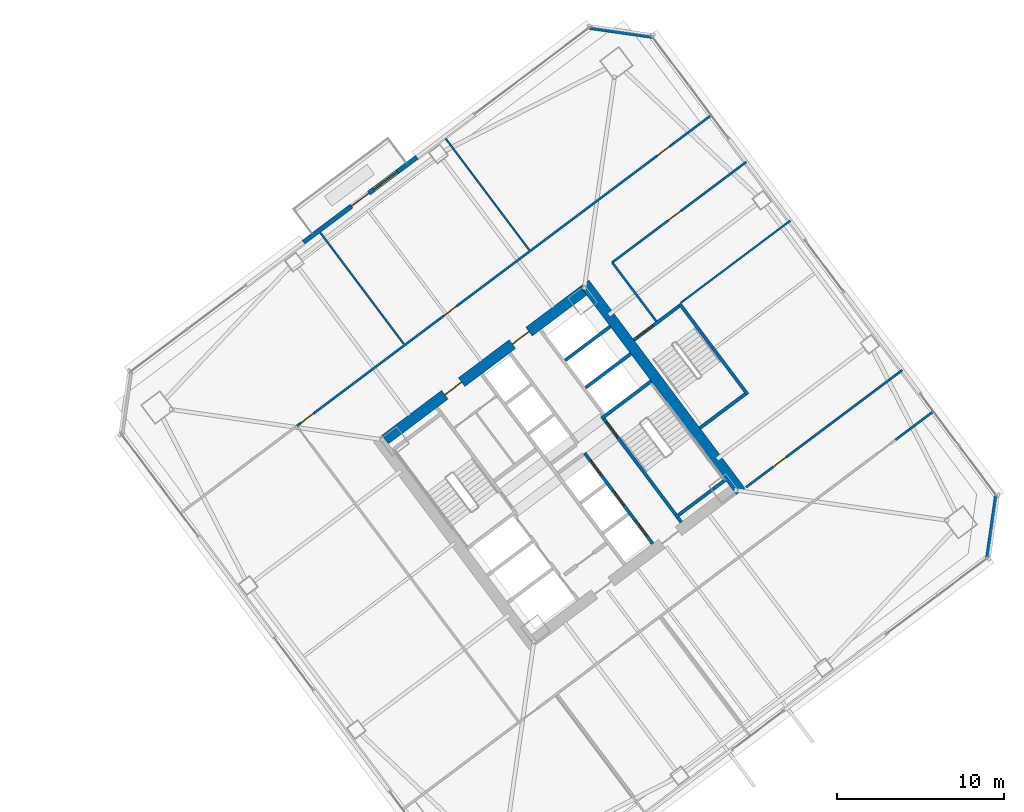
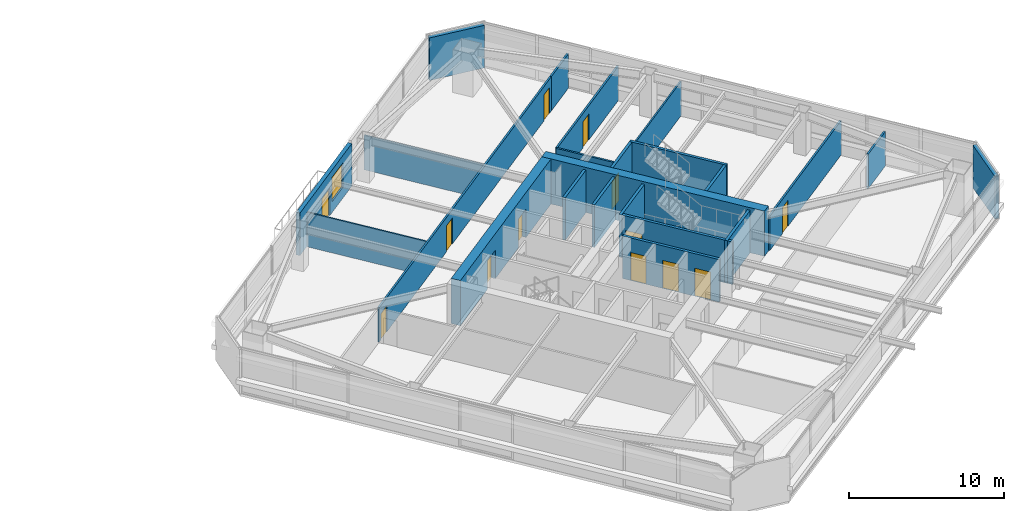
# One storey, part 36 of 44: 23 walls, 13 doors, 1 window, 14 openings.
"""IFC4 building model written with IfcOpenShell, lengths in metres."""

from ifc_helpers import new_model, si_unit, direction, frame, frame_2d, origin, place, context, subcontext, project, spatial, rectangle, extrude, material, layer, layer_set, type_object, element, fill, save


model = new_model("IFC4")

# Units and contexts
model_context = context("Model", 3, precision=1e-05, world=origin(), true_north=direction((0.0, 1.0)))
body_context = subcontext(model_context, "Body", "Model", "MODEL_VIEW")
ifc_project = project(units=[si_unit("LENGTHUNIT", "METRE"), si_unit("AREAUNIT", "SQUARE_METRE"), si_unit("VOLUMEUNIT", "CUBIC_METRE"), si_unit("PLANEANGLEUNIT", "RADIAN"), si_unit("MASSUNIT", "GRAM", prefix="KILO")], contexts=[model_context])

# Site, building, storey
site_placement = place(None, origin())
site = spatial("IfcSite", under=ifc_project, at=site_placement, CompositionType="ELEMENT")
building_placement = place(site_placement, origin())
building = spatial("IfcBuilding", under=site, at=building_placement, Name="Tashvorn Skyway Center", CompositionType="ELEMENT")
storey_placement = place(building_placement, frame((0.0, 0.0, 95.60009765625)))
storey = spatial("IfcBuildingStorey", under=building, at=storey_placement, Name="L25", CompositionType="ELEMENT", Elevation=95.60009765625)

# Wall
ifc_material_1 = material(Name="Concrete C60/75", Category="concrete")
ifc_layer_1 = layer(ifc_material_1, 0.64990234375)
ifc_layer_set_1 = layer_set([ifc_layer_1], Name="Concrete C60/75")
wall_type_1 = type_object("IfcWallType", Name="WALL-CORE-650", PredefinedType="SHEAR", material=ifc_layer_set_1)
wall_1_placement = place(storey_placement, frame((115.52392578125, 42.89306640625, 0.0), z_axis=(0.0, 0.0, 1.0), x_axis=(0.600005007985, -0.799996243986, 0.0)))
element("IfcWall", 1, at=wall_1_placement, inside=storey, type_object=wall_type_1, Name="Tower 2 L25 East Core Shear Wall", PredefinedType="SHEAR", context=body_context, shape_type="SweptSolid", body=[
    extrude(rectangle(XDim=15.60009765625, YDim=0.64990234375, at=frame_2d((7.800048828125, 0.0))), origin(), (0.0, 0.0, 1.0), 3.5498046875),
])

# Wall, openings, doors
wall_2_placement = place(storey_placement, frame((103.571044921875, 33.52197265625, 0.0), z_axis=(0.0, 0.0, 1.0), x_axis=(0.799998028465, 0.600002628705, 0.0)))
wall_2 = element("IfcWall", 2, at=wall_2_placement, inside=storey, type_object=wall_type_1, Name="Tower 2 L25 North Core Shear Wall", PredefinedType="SHEAR", context=body_context, shape_type="SweptSolid", body=[
    extrude(rectangle(XDim=14.85986328125, YDim=0.64990234375, at=frame_2d((7.429931640625, 0.0))), origin(), (0.0, 0.0, 1.0), 3.5498046875),
])
opening_1_placement = place(wall_2_placement, frame((4.47998046875, 0.0, 0.0)))
opening_1 = element("IfcOpeningElement", 3, at=opening_1_placement, cuts=wall_2, Name="Opening D-FFL-1250", PredefinedType="OPENING", context=body_context, shape_type="SweptSolid", body=[
    extrude(rectangle(XDim=1.25, YDim=2.25, at=frame_2d((0.625, 1.125))), frame((0.0, 0.3349609375, 0.0), z_axis=(0.0, -1.0, 0.0), x_axis=(1.0, 0.0, 0.0)), (0.0, 0.0, 1.0), 0.669921875),
])
opening_2_placement = place(wall_2_placement, frame((9.530029296875, 0.0, 0.0)))
opening_2 = element("IfcOpeningElement", 4, at=opening_2_placement, cuts=wall_2, Name="Opening D-FFL-1250", PredefinedType="OPENING", context=body_context, shape_type="SweptSolid", body=[
    extrude(rectangle(XDim=1.25, YDim=2.25, at=frame_2d((0.625, 1.125))), frame((0.0, 0.3349609375, 0.0), z_axis=(0.0, -1.0, 0.0), x_axis=(1.0, 0.0, 0.0)), (0.0, 0.0, 1.0), 0.669921875),
])
ifc_material_2 = material(Name="Hollow galvanized steel fire door assembly", Category="steel")
door_type_1 = type_object("IfcDoorType", Name="DOOR-FFL-1250", OperationType="NOTDEFINED", PredefinedType="DOOR", material=ifc_material_2)
door_1_placement = place(opening_1_placement, origin())
door_1 = element("IfcDoor", 5, at=door_1_placement, inside=storey, type_object=door_type_1, Name="Tower 2 L25 Core North Service Lobby Door", OperationType="SINGLE_SWING_LEFT", OverallHeight=2.25, OverallWidth=1.25, PredefinedType="DOOR", context=body_context, shape_type="SweptSolid", body=[
    extrude(rectangle(XDim=1.25, YDim=2.25, at=frame_2d((0.625, 1.125))), frame((0.0, 0.02490234375, 0.0), z_axis=(0.0, -1.0, 0.0), x_axis=(1.0, 0.0, 0.0)), (0.0, 0.0, 1.0), 0.050048828125),
])
fill(opening_1, door_1)
door_2_placement = place(opening_2_placement, origin())
door_2 = element("IfcDoor", 6, at=door_2_placement, inside=storey, type_object=door_type_1, Name="Tower 2 L25 Core North Lift Lobby Door", OperationType="SINGLE_SWING_RIGHT", OverallHeight=2.25, OverallWidth=1.25, PredefinedType="DOOR", context=body_context, shape_type="SweptSolid", body=[
    extrude(rectangle(XDim=1.25, YDim=2.25, at=frame_2d((0.625, 1.125))), frame((0.0, 0.02490234375, 0.0), z_axis=(0.0, -1.0, 0.0), x_axis=(1.0, 0.0, 0.0)), (0.0, 0.0, 1.0), 0.050048828125),
])
fill(opening_2, door_2)

# Wall, openings, door, window
ifc_material_3 = material(Name="Precast concrete C40/50", Category="concrete")
ifc_layer_2 = layer(ifc_material_3, 0.280029296875)
ifc_layer_set_2 = layer_set([ifc_layer_2], Name="Precast concrete C40/50")
wall_type_2 = type_object("IfcWallType", Name="WALL-EXT-280", PredefinedType="SOLIDWALL", material=ifc_layer_set_2)
wall_3_placement = place(storey_placement, frame((98.672119140625, 45.35400390625, 0.0), z_axis=(0.0, 0.0, 1.0), x_axis=(0.799986212866, 0.600018382406, 0.0)))
wall_3 = element("IfcWall", 7, at=wall_3_placement, inside=storey, type_object=wall_type_2, Name="Tower 2 L25 North Terrace Portal Wall", PredefinedType="SOLIDWALL", context=body_context, shape_type="SweptSolid", body=[
    extrude(rectangle(XDim=8.5, YDim=0.280029296875, at=frame_2d((4.25, 0.0))), origin(), (0.0, 0.0, 1.0), 3.349853515625),
])
opening_3_placement = place(wall_3_placement, frame((3.60009765625, 0.0, 0.0)))
opening_3 = element("IfcOpeningElement", 8, at=opening_3_placement, cuts=wall_3, Name="Opening D-TER-1300", PredefinedType="OPENING", context=body_context, shape_type="SweptSolid", body=[
    extrude(rectangle(XDim=1.300048828125, YDim=2.14990234375, at=frame_2d((0.64990234375, 1.074951171875))), frame((0.0, 0.14990234375, 0.0), z_axis=(0.0, -1.0, 0.0), x_axis=(1.0, 0.0, 0.0)), (0.0, 0.0, 1.0), 0.300048828125),
])
opening_4_placement = place(wall_3_placement, frame((5.239990234375, 0.0, 0.85009765625)))
opening_4 = element("IfcOpeningElement", 9, at=opening_4_placement, cuts=wall_3, Name="Opening WIN-1800", PredefinedType="OPENING", context=body_context, shape_type="SweptSolid", body=[
    extrude(rectangle(XDim=1.800048828125, YDim=1.919921875, at=frame_2d((0.89990234375, 0.9599609375))), frame((0.0, 0.14990234375, 0.0), z_axis=(0.0, -1.0, 0.0), x_axis=(1.0, 0.0, 0.0)), (0.0, 0.0, 1.0), 0.300048828125),
])
ifc_material_4 = material(Name="Thermally broken bronze-anodized aluminium 6063-T6", Category="aluminium")
door_type_2 = type_object("IfcDoorType", Name="DOOR-TERR-1300", OperationType="NOTDEFINED", PredefinedType="DOOR", material=ifc_material_4)
door_3_placement = place(opening_3_placement, origin())
door_3 = element("IfcDoor", 10, at=door_3_placement, inside=storey, type_object=door_type_2, Name="Tower 2 L25 Terrace Access Door", OperationType="SINGLE_SWING_RIGHT", OverallHeight=2.14990234375, OverallWidth=1.300048828125, PredefinedType="DOOR", context=body_context, shape_type="SweptSolid", body=[
    extrude(rectangle(XDim=1.300048828125, YDim=2.14990234375, at=frame_2d((0.64990234375, 1.074951171875))), frame((0.0, 0.02490234375, 0.0), z_axis=(0.0, -1.0, 0.0), x_axis=(1.0, 0.0, 0.0)), (0.0, 0.0, 1.0), 0.050048828125),
])
fill(opening_3, door_3)
ifc_material_5 = material(Name="Low-E solar-control double insulating safety glass", Category="glass")
window_type = type_object("IfcWindowType", Name="WIN-TERR-1800", PartitioningType="SINGLE_PANEL", PredefinedType="WINDOW", material=ifc_material_5)
window_placement = place(opening_4_placement, origin())
window = element("IfcWindow", 11, at=window_placement, inside=storey, type_object=window_type, Name="Tower 2 L25 Terrace Window", OverallHeight=1.919921875, OverallWidth=1.800048828125, PartitioningType="SINGLE_PANEL", PredefinedType="WINDOW", context=body_context, shape_type="SweptSolid", body=[
    extrude(rectangle(XDim=1.800048828125, YDim=1.919921875, at=frame_2d((0.89990234375, 0.9599609375))), frame((0.0, 0.030029296875, 0.0), z_axis=(0.0, -1.0, 0.0), x_axis=(1.0, 0.0, 0.0)), (0.0, 0.0, 1.0), 0.06005859375),
])
fill(opening_4, window)

# Walls
for number, where, z_axis, x_axis, name in (
    (12, (115.820068359375, 58.239990234375, 0.0), (0.0, 0.0, 1.0), (0.989948214866, -0.141430307517, 0.0), "Tower 2 L25 NE Precast Chamfer Wall"),
    (13, (140.239990234375, 30.179931640625, 0.0), (0.0, 0.0, 1.0), (-0.141430307517, -0.989948214866, 0.0), "Tower 2 L25 SE Precast Chamfer Wall"),
):
    element("IfcWall", number, at=place(storey_placement, frame(where, z_axis=z_axis, x_axis=x_axis)), inside=storey, type_object=wall_type_2, Name=name, PredefinedType="SOLIDWALL", context=body_context, shape_type="SweptSolid", body=[
        extrude(rectangle(XDim=3.818359375, YDim=0.280029296875, at=frame_2d((1.9091796875, 0.0))), origin(), (0.0, 0.0, 1.0), 3.349853515625),
    ])
ifc_material_6 = material(Name="Gypsum board on cold-formed steel stud framing", Category="steel")
ifc_layer_3 = layer(ifc_material_6, 0.110107421875)
ifc_layer_set_3 = layer_set([ifc_layer_3], Name="Gypsum board on cold-formed steel stud framing")
wall_type_3 = type_object("IfcWallType", Name="WALL-PART-110", PredefinedType="PARTITIONING", material=ifc_layer_set_3)
wall_4_placement = place(storey_placement, frame((104.69189453125, 39.243896484375, 0.0), z_axis=(0.0, 0.0, 1.0), x_axis=(-0.599990643836, 0.800007017038, 0.0)))
element("IfcWall", 14, at=wall_4_placement, inside=storey, type_object=wall_type_3, Name="Tower 2 L25 North Suite Partition 1", PredefinedType="PARTITIONING", context=body_context, shape_type="SweptSolid", body=[
    extrude(rectangle(XDim=8.35009765625, YDim=0.110107421875, at=frame_2d((4.175048828125, 0.0))), origin(), (0.0, 0.0, 1.0), 2.702880859375),
])
wall_5_placement = place(storey_placement, frame((112.2119140625, 44.884033203125, 0.0), z_axis=(0.0, 0.0, 1.0), x_axis=(-0.600004678161, 0.799996491358, 0.0)))
element("IfcWall", 15, at=wall_5_placement, inside=storey, type_object=wall_type_3, Name="Tower 2 L25 North Suite Partition 2", PredefinedType="PARTITIONING", context=body_context, shape_type="SweptSolid", body=[
    extrude(rectangle(XDim=8.349853515625, YDim=0.110107421875, at=frame_2d((4.1748046875, 0.0))), origin(), (0.0, 0.0, 1.0), 2.702880859375),
])
wall_6_placement = place(storey_placement, frame((127.864013671875, 46.64794921875, 0.0), z_axis=(0.0, 0.0, 1.0), x_axis=(-0.800007145523, -0.599990472518, 0.0)))
element("IfcWall", 16, at=wall_6_placement, inside=storey, type_object=wall_type_3, Name="Tower 2 L25 East Suite Partition 1", PredefinedType="PARTITIONING", context=body_context, shape_type="SweptSolid", body=[
    extrude(rectangle(XDim=8.199951171875, YDim=0.110107421875, at=frame_2d((4.10009765625, 0.0))), origin(), (0.0, 0.0, 1.0), 2.702880859375),
])
ifc_layer_4 = layer(ifc_material_6, 0.135009765625)
ifc_layer_set_4 = layer_set([ifc_layer_4], Name="Gypsum board on cold-formed steel stud framing")
wall_type_4 = type_object("IfcWallType", Name="WALL-PART-135", PredefinedType="PARTITIONING", material=ifc_layer_set_4)
wall_7_placement = place(storey_placement, frame((119.823974609375, 40.617919921875, 0.0), z_axis=(0.0, 0.0, 1.0), x_axis=(-0.599982243973, 0.800013316712, 0.0)))
element("IfcWall", 17, at=wall_7_placement, inside=storey, type_object=wall_type_4, Name="Tower 2 L25 Stair 3 Access Corridor Wall", PredefinedType="PARTITIONING", context=body_context, shape_type="SweptSolid", body=[
    extrude(rectangle(XDim=4.39990234375, YDim=0.135009765625, at=frame_2d((2.199951171875, 0.0))), origin(), (0.0, 0.0, 1.0), 2.702880859375),
])

# Wall, openings, doors
wall_8_placement = place(storey_placement, frame((98.27587890625, 34.33203125, 0.0), z_axis=(0.0, 0.0, 1.0), x_axis=(0.800003113347, 0.599995848849, 0.0)))
wall_8 = element("IfcWall", 18, at=wall_8_placement, inside=storey, type_object=wall_type_4, Name="Tower 2 L25 North Suite Wall", PredefinedType="PARTITIONING", context=body_context, shape_type="SweptSolid", body=[
    extrude(rectangle(XDim=28.230224609375, YDim=0.135009765625, at=frame_2d((14.115234375, 0.0))), origin(), (0.0, 0.0, 1.0), 2.702880859375),
])
opening_5_placement = place(wall_8_placement, frame((0.300048828125, 0.0, 0.0)))
opening_5 = element("IfcOpeningElement", 19, at=opening_5_placement, cuts=wall_8, Name="Opening D-INT-950", PredefinedType="OPENING", context=body_context, shape_type="SweptSolid", body=[
    extrude(rectangle(XDim=0.949951171875, YDim=2.050048828125, at=frame_2d((0.47509765625, 1.02490234375))), frame((0.0, 0.077392578125, 0.0), z_axis=(0.0, -1.0, 0.0), x_axis=(1.0, 0.0, 0.0)), (0.0, 0.0, 1.0), 0.155029296875),
])
opening_6_placement = place(wall_8_placement, frame((11.023193359375, 0.0, 0.0)))
opening_6 = element("IfcOpeningElement", 20, at=opening_6_placement, cuts=wall_8, Name="Opening D-INT-950", PredefinedType="OPENING", context=body_context, shape_type="SweptSolid", body=[
    extrude(rectangle(XDim=0.949951171875, YDim=2.050048828125, at=frame_2d((0.47509765625, 1.02490234375))), frame((0.0, 0.077392578125, 0.0), z_axis=(0.0, -1.0, 0.0), x_axis=(1.0, 0.0, 0.0)), (0.0, 0.0, 1.0), 0.155029296875),
])
opening_7_placement = place(wall_8_placement, frame((26.97998046875, 0.0, 0.0)))
opening_7 = element("IfcOpeningElement", 21, at=opening_7_placement, cuts=wall_8, Name="Opening D-INT-950", PredefinedType="OPENING", context=body_context, shape_type="SweptSolid", body=[
    extrude(rectangle(XDim=0.949951171875, YDim=2.050048828125, at=frame_2d((0.47509765625, 1.02490234375))), frame((0.0, 0.077392578125, 0.0), z_axis=(0.0, -1.0, 0.0), x_axis=(1.0, 0.0, 0.0)), (0.0, 0.0, 1.0), 0.155029296875),
])
ifc_material_7 = material(Name="Solid-core architectural oak veneer door")
door_type_3 = type_object("IfcDoorType", Name="DOOR-INT-950", OperationType="NOTDEFINED", PredefinedType="DOOR", material=ifc_material_7)
door_4_placement = place(opening_5_placement, origin())
door_4 = element("IfcDoor", 22, at=door_4_placement, inside=storey, type_object=door_type_3, Name="Tower 2 L25 Operations Control Room Door", OperationType="SINGLE_SWING_LEFT", OverallHeight=2.050048828125, OverallWidth=0.949951171875, PredefinedType="DOOR", context=body_context, shape_type="SweptSolid", body=[
    extrude(rectangle(XDim=0.949951171875, YDim=2.050048828125, at=frame_2d((0.47509765625, 1.02490234375))), frame((0.0, 0.02490234375, 0.0), z_axis=(0.0, -1.0, 0.0), x_axis=(1.0, 0.0, 0.0)), (0.0, 0.0, 1.0), 0.050048828125),
])
fill(opening_5, door_4)
door_5_placement = place(opening_6_placement, origin())
door_5 = element("IfcDoor", 23, at=door_5_placement, inside=storey, type_object=door_type_3, Name="Tower 2 L25 Operations Control Room Door", OperationType="SINGLE_SWING_RIGHT", OverallHeight=2.050048828125, OverallWidth=0.949951171875, PredefinedType="DOOR", context=body_context, shape_type="SweptSolid", body=[
    extrude(rectangle(XDim=0.949951171875, YDim=2.050048828125, at=frame_2d((0.47509765625, 1.02490234375))), frame((0.0, 0.02490234375, 0.0), z_axis=(0.0, -1.0, 0.0), x_axis=(1.0, 0.0, 0.0)), (0.0, 0.0, 1.0), 0.050048828125),
])
fill(opening_6, door_5)
door_6_placement = place(opening_7_placement, origin())
door_6 = element("IfcDoor", 24, at=door_6_placement, inside=storey, type_object=door_type_3, Name="Tower 2 L25 Boardroom Door", OperationType="SINGLE_SWING_LEFT", OverallHeight=2.050048828125, OverallWidth=0.949951171875, PredefinedType="DOOR", context=body_context, shape_type="SweptSolid", body=[
    extrude(rectangle(XDim=0.949951171875, YDim=2.050048828125, at=frame_2d((0.47509765625, 1.02490234375))), frame((0.0, 0.02490234375, 0.0), z_axis=(0.0, -1.0, 0.0), x_axis=(1.0, 0.0, 0.0)), (0.0, 0.0, 1.0), 0.050048828125),
])
fill(opening_7, door_6)

# Walls
wall_9_placement = place(storey_placement, frame((120.860107421875, 51.27001953125, 0.0), z_axis=(0.0, 0.0, 1.0), x_axis=(0.799989647378, 0.600013803248, 0.0)))
element("IfcWall", 25, at=wall_9_placement, inside=storey, type_object=wall_type_4, Name="Tower 2 L25 North-East Suite South Wall", PredefinedType="PARTITIONING", context=body_context, shape_type="SweptSolid", body=[
    extrude(rectangle(XDim=2.829833984375, YDim=0.135009765625, at=frame_2d((1.4150390625, 0.0))), origin(), (0.0, 0.0, 1.0), 2.702880859375),
])
wall_10_placement = place(storey_placement, frame((134.179931640625, 33.510009765625, 0.0), z_axis=(0.0, 0.0, 1.0), x_axis=(0.8000207031, 0.599972394874, 0.0)))
element("IfcWall", 26, at=wall_10_placement, inside=storey, type_object=wall_type_4, Name="Tower 2 L25 South-East Suite North Wall", PredefinedType="PARTITIONING", context=body_context, shape_type="SweptSolid", body=[
    extrude(rectangle(XDim=2.830078125, YDim=0.135009765625, at=frame_2d((1.4150390625, 0.0))), origin(), (0.0, 0.0, 1.0), 2.702880859375),
])

# Wall, opening, door
wall_11_placement = place(storey_placement, frame((125.22412109375, 50.16796875, 0.0), z_axis=(0.0, 0.0, 1.0), x_axis=(-0.8, -0.6, 0.0)))
wall_11 = element("IfcWall", 27, at=wall_11_placement, inside=storey, type_object=wall_type_4, Name="Tower 2 L25 East Suite North Wall", PredefinedType="PARTITIONING", context=body_context, shape_type="SweptSolid", body=[
    extrude(rectangle(XDim=10.050048828125, YDim=0.135009765625, at=frame_2d((5.02490234375, 0.0))), origin(), (0.0, 0.0, 1.0), 2.702880859375),
])
opening_8_placement = place(wall_11_placement, frame((4.89990234375, 0.0, 0.0)))
opening_8 = element("IfcOpeningElement", 28, at=opening_8_placement, cuts=wall_11, Name="Opening D-INT-950", PredefinedType="OPENING", context=body_context, shape_type="SweptSolid", body=[
    extrude(rectangle(XDim=0.949951171875, YDim=2.050048828125, at=frame_2d((0.47509765625, 1.02490234375))), frame((0.0, 0.077392578125, 0.0), z_axis=(0.0, -1.0, 0.0), x_axis=(1.0, 0.0, 0.0)), (0.0, 0.0, 1.0), 0.155029296875),
])
door_7_placement = place(opening_8_placement, origin())
door_7 = element("IfcDoor", 29, at=door_7_placement, inside=storey, type_object=door_type_3, Name="Tower 2 L25 Wellness Clinic Door", OperationType="SINGLE_SWING_LEFT", OverallHeight=2.050048828125, OverallWidth=0.949951171875, PredefinedType="DOOR", context=body_context, shape_type="SweptSolid", body=[
    extrude(rectangle(XDim=0.949951171875, YDim=2.050048828125, at=frame_2d((0.47509765625, 1.02490234375))), frame((0.0, 0.02490234375, 0.0), z_axis=(0.0, -1.0, 0.0), x_axis=(1.0, 0.0, 0.0)), (0.0, 0.0, 1.0), 0.050048828125),
])
fill(opening_8, door_7)

wall_12_placement = place(storey_placement, frame((125.2080078125, 30.656005859375, 0.0), z_axis=(0.0, 0.0, 1.0), x_axis=(0.8, 0.6, 0.0)))
wall_12 = element("IfcWall", 30, at=wall_12_placement, inside=storey, type_object=wall_type_4, Name="Tower 2 L25 East Suite South Wall", PredefinedType="PARTITIONING", context=body_context, shape_type="SweptSolid", body=[
    extrude(rectangle(XDim=11.719970703125, YDim=0.135009765625, at=frame_2d((5.85986328125, 0.0))), origin(), (0.0, 0.0, 1.0), 2.702880859375),
])
opening_9_placement = place(wall_12_placement, frame((2.044921875, 0.0, 0.0)))
opening_9 = element("IfcOpeningElement", 31, at=opening_9_placement, cuts=wall_12, Name="Opening D-INT-950", PredefinedType="OPENING", context=body_context, shape_type="SweptSolid", body=[
    extrude(rectangle(XDim=0.949951171875, YDim=2.050048828125, at=frame_2d((0.47509765625, 1.02490234375))), frame((0.0, 0.077392578125, 0.0), z_axis=(0.0, -1.0, 0.0), x_axis=(1.0, 0.0, 0.0)), (0.0, 0.0, 1.0), 0.155029296875),
])
door_8_placement = place(opening_9_placement, origin())
door_8 = element("IfcDoor", 32, at=door_8_placement, inside=storey, type_object=door_type_3, Name="Tower 2 L25 Public Restroom Door", OperationType="SINGLE_SWING_RIGHT", OverallHeight=2.050048828125, OverallWidth=0.949951171875, PredefinedType="DOOR", context=body_context, shape_type="SweptSolid", body=[
    extrude(rectangle(XDim=0.949951171875, YDim=2.050048828125, at=frame_2d((0.47509765625, 1.02490234375))), frame((0.0, 0.02490234375, 0.0), z_axis=(0.0, -1.0, 0.0), x_axis=(1.0, 0.0, 0.0)), (0.0, 0.0, 1.0), 0.050048828125),
])
fill(opening_9, door_8)

# Walls
ifc_material_8 = material(Name="Concrete C40/50", Category="concrete")
ifc_layer_5 = layer(ifc_material_8, 0.199951171875)
ifc_layer_set_5 = layer_set([ifc_layer_5], Name="Concrete C40/50")
wall_type_5 = type_object("IfcWallType", Name="WALL-SHAFT-200", PredefinedType="SOLIDWALL", material=ifc_layer_set_5)
for number, where, z_axis, x_axis, name in (
    (33, (115.590087890625, 36.6298828125, 0.0), (0.0, 0.0, 1.0), (0.799973995579, 0.600034670996, 0.0), "Tower 2 L25 High-Rise Shaft Divider"),
    (34, (114.360107421875, 38.27001953125, 0.0), (0.0, 0.0, 1.0), (0.799973995579, 0.600034670996, 0.0), "Tower 2 L25 High-Rise Shaft Divider"),
):
    element("IfcWall", number, at=place(storey_placement, frame(where, z_axis=z_axis, x_axis=x_axis)), inside=storey, type_object=wall_type_5, Name=name, PredefinedType="SOLIDWALL", context=body_context, shape_type="SweptSolid", body=[
        extrude(rectangle(XDim=3.3798828125, YDim=0.199951171875, at=frame_2d((1.68994140625, 0.0))), origin(), (0.0, 0.0, 1.0), 3.349853515625),
    ])

# Wall, openings, doors
wall_13_placement = place(storey_placement, frame((119.610107421875, 27.27001953125, 0.0), z_axis=(0.0, 0.0, 1.0), x_axis=(-0.600011488909, 0.79999138319, 0.0)))
wall_13 = element("IfcWall", 35, at=wall_13_placement, inside=storey, type_object=wall_type_5, Name="Tower 2 L25 Low-Rise Core Wall", PredefinedType="SOLIDWALL", context=body_context, shape_type="SweptSolid", body=[
    extrude(rectangle(XDim=6.800048828125, YDim=0.199951171875, at=frame_2d((3.39990234375, 0.0))), origin(), (0.0, 0.0, 1.0), 3.349853515625),
])
opening_10_placement = place(wall_13_placement, frame((0.625, 0.0, 0.0)))
opening_10 = element("IfcOpeningElement", 36, at=opening_10_placement, cuts=wall_13, Name="Opening LD-LR-T2-1-L25", PredefinedType="OPENING", context=body_context, shape_type="SweptSolid", body=[
    extrude(rectangle(XDim=1.10009765625, YDim=2.199951171875, at=frame_2d((0.550048828125, 1.10009765625))), frame((0.0, 0.10986328125, 0.0), z_axis=(0.0, -1.0, 0.0), x_axis=(1.0, 0.0, 0.0)), (0.0, 0.0, 1.0), 0.219970703125),
])
opening_11_placement = place(wall_13_placement, frame((2.875, 0.0, 0.0)))
opening_11 = element("IfcOpeningElement", 37, at=opening_11_placement, cuts=wall_13, Name="Opening LD-LR-T2-2-L25", PredefinedType="OPENING", context=body_context, shape_type="SweptSolid", body=[
    extrude(rectangle(XDim=1.10009765625, YDim=2.199951171875, at=frame_2d((0.550048828125, 1.10009765625))), frame((0.0, 0.10986328125, 0.0), z_axis=(0.0, -1.0, 0.0), x_axis=(1.0, 0.0, 0.0)), (0.0, 0.0, 1.0), 0.219970703125),
])
opening_12_placement = place(wall_13_placement, frame((5.125, 0.0, 0.0)))
opening_12 = element("IfcOpeningElement", 38, at=opening_12_placement, cuts=wall_13, Name="Opening LD-LR-T2-3-L25", PredefinedType="OPENING", context=body_context, shape_type="SweptSolid", body=[
    extrude(rectangle(XDim=1.10009765625, YDim=2.199951171875, at=frame_2d((0.550048828125, 1.10009765625))), frame((0.0, 0.10986328125, 0.0), z_axis=(0.0, -1.0, 0.0), x_axis=(1.0, 0.0, 0.0)), (0.0, 0.0, 1.0), 0.219970703125),
])
ifc_material_9 = material(Name="Stainless steel landing door", Category="steel")
door_type_4 = type_object("IfcDoorType", Name="DOOR-LIFT-1100", OperationType="SLIDING_TO_LEFT", PredefinedType="DOOR", material=ifc_material_9)
door_9_placement = place(opening_10_placement, origin())
door_9 = element("IfcDoor", 39, at=door_9_placement, inside=storey, type_object=door_type_4, Name="Lift LR-T2-1 L25 Landing Door", OperationType="SLIDING_TO_LEFT", OverallHeight=2.199951171875, OverallWidth=1.10009765625, PredefinedType="DOOR", context=body_context, shape_type="SweptSolid", body=[
    extrude(rectangle(XDim=1.10009765625, YDim=2.199951171875, at=frame_2d((0.550048828125, 1.10009765625))), frame((0.0, 0.02490234375, 0.0), z_axis=(0.0, -1.0, 0.0), x_axis=(1.0, 0.0, 0.0)), (0.0, 0.0, 1.0), 0.050048828125),
])
fill(opening_10, door_9)
door_10_placement = place(opening_11_placement, origin())
door_10 = element("IfcDoor", 40, at=door_10_placement, inside=storey, type_object=door_type_4, Name="Lift LR-T2-2 L25 Landing Door", OperationType="SLIDING_TO_LEFT", OverallHeight=2.199951171875, OverallWidth=1.10009765625, PredefinedType="DOOR", context=body_context, shape_type="SweptSolid", body=[
    extrude(rectangle(XDim=1.10009765625, YDim=2.199951171875, at=frame_2d((0.550048828125, 1.10009765625))), frame((0.0, 0.02490234375, 0.0), z_axis=(0.0, -1.0, 0.0), x_axis=(1.0, 0.0, 0.0)), (0.0, 0.0, 1.0), 0.050048828125),
])
fill(opening_11, door_10)
door_11_placement = place(opening_12_placement, origin())
door_11 = element("IfcDoor", 41, at=door_11_placement, inside=storey, type_object=door_type_4, Name="Lift LR-T2-3 L25 Landing Door", OperationType="SLIDING_TO_LEFT", OverallHeight=2.199951171875, OverallWidth=1.10009765625, PredefinedType="DOOR", context=body_context, shape_type="SweptSolid", body=[
    extrude(rectangle(XDim=1.10009765625, YDim=2.199951171875, at=frame_2d((0.550048828125, 1.10009765625))), frame((0.0, 0.02490234375, 0.0), z_axis=(0.0, -1.0, 0.0), x_axis=(1.0, 0.0, 0.0)), (0.0, 0.0, 1.0), 0.050048828125),
])
fill(opening_12, door_11)

# Wall, opening, door
ifc_layer_6 = layer(ifc_material_8, 0.199951171875)
ifc_layer_set_6 = layer_set([ifc_layer_6], Name="Concrete C40/50")
wall_type_6 = type_object("IfcWallType", Name="WALL-STSHF-200", PredefinedType="SHEAR", material=ifc_layer_set_6)
wall_14_placement = place(storey_placement, frame((116.56005859375, 34.919921875, 0.0), z_axis=(0.0, 0.0, 1.0), x_axis=(0.600009827119, -0.799992629566, 0.0)))
wall_14 = element("IfcWall", 42, at=wall_14_placement, inside=storey, type_object=wall_type_6, Name="Tower 2 L25 Stair 2 Enclosure Wall", PredefinedType="SHEAR", context=body_context, shape_type="SweptSolid", body=[
    extrude(rectangle(XDim=7.949951171875, YDim=0.199951171875, at=frame_2d((3.97509765625, 0.0))), origin(), (0.0, 0.0, 1.0), 3.349853515625),
])
opening_13_placement = place(wall_14_placement, frame((0.449951171875, 0.0, 0.0)))
opening_13 = element("IfcOpeningElement", 43, at=opening_13_placement, cuts=wall_14, Name="Opening D-ST-1150", PredefinedType="OPENING", context=body_context, shape_type="SweptSolid", body=[
    extrude(rectangle(XDim=1.14990234375, YDim=2.199951171875, at=frame_2d((0.574951171875, 1.10009765625))), frame((0.0, 0.10986328125, 0.0), z_axis=(0.0, -1.0, 0.0), x_axis=(1.0, 0.0, 0.0)), (0.0, 0.0, 1.0), 0.219970703125),
])
door_type_5 = type_object("IfcDoorType", Name="DOOR-STAIR-1150", OperationType="NOTDEFINED", PredefinedType="DOOR", material=ifc_material_2)
door_12_placement = place(opening_13_placement, origin())
door_12 = element("IfcDoor", 44, at=door_12_placement, inside=storey, type_object=door_type_5, Name="Tower 2 L25 Exit Stair 2 Door", OperationType="SINGLE_SWING_RIGHT", OverallHeight=2.199951171875, OverallWidth=1.14990234375, PredefinedType="DOOR", context=body_context, shape_type="SweptSolid", body=[
    extrude(rectangle(XDim=1.14990234375, YDim=2.199951171875, at=frame_2d((0.574951171875, 1.10009765625))), frame((0.0, 0.02490234375, 0.0), z_axis=(0.0, -1.0, 0.0), x_axis=(1.0, 0.0, 0.0)), (0.0, 0.0, 1.0), 0.050048828125),
])
fill(opening_13, door_12)

# Walls
for number, where, z_axis, x_axis, name in (
    (45, (116.5400390625, 34.780029296875, 0.0), (0.0, 0.0, 1.0), (0.799984290658, 0.600020945218, 0.0), "Tower 2 L25 Stair 2 North Wall"),
    (46, (120.97998046875, 28.860107421875, 0.0), (0.0, 0.0, 1.0), (0.800039270442, 0.59994763584, 0.0), "Tower 2 L25 Stair 2 South Wall"),
):
    element("IfcWall", number, at=place(storey_placement, frame(where, z_axis=z_axis, x_axis=x_axis)), inside=storey, type_object=wall_type_6, Name=name, PredefinedType="SHEAR", context=body_context, shape_type="SweptSolid", body=[
        extrude(rectangle(XDim=3.72998046875, YDim=0.199951171875, at=frame_2d((1.864990234375, 0.0))), origin(), (0.0, 0.0, 1.0), 3.349853515625),
    ])
wall_15_placement = place(storey_placement, frame((125.303955078125, 36.22802734375, 0.0), z_axis=(0.0, 0.0, 1.0), x_axis=(-0.59998851072, 0.800008616831, 0.0)))
element("IfcWall", 47, at=wall_15_placement, inside=storey, type_object=wall_type_6, Name="Tower 2 L25 Stair 3 Outer Wall", PredefinedType="SHEAR", context=body_context, shape_type="SweptSolid", body=[
    extrude(rectangle(XDim=6.7998046875, YDim=0.199951171875, at=frame_2d((3.39990234375, 0.0))), origin(), (0.0, 0.0, 1.0), 3.349853515625),
])

# Wall, opening, door
wall_16_placement = place(storey_placement, frame((121.2041015625, 41.528076171875, 0.0), z_axis=(0.0, 0.0, 1.0), x_axis=(-0.800017232136, -0.599977023131, 0.0)))
wall_16 = element("IfcWall", 48, at=wall_16_placement, inside=storey, type_object=wall_type_6, Name="Tower 2 L25 Stair 3 Enclosure Wall", PredefinedType="SHEAR", context=body_context, shape_type="SweptSolid", body=[
    extrude(rectangle(XDim=3.400146484375, YDim=0.199951171875, at=frame_2d((1.7001953125, 0.0))), origin(), (0.0, 0.0, 1.0), 3.349853515625),
])
opening_14_placement = place(wall_16_placement, frame((1.97509765625, 0.0, 0.0)))
opening_14 = element("IfcOpeningElement", 49, at=opening_14_placement, cuts=wall_16, Name="Opening D-ST-1150", PredefinedType="OPENING", context=body_context, shape_type="SweptSolid", body=[
    extrude(rectangle(XDim=1.14990234375, YDim=2.199951171875, at=frame_2d((0.574951171875, 1.10009765625))), frame((0.0, 0.10986328125, 0.0), z_axis=(0.0, -1.0, 0.0), x_axis=(1.0, 0.0, 0.0)), (0.0, 0.0, 1.0), 0.219970703125),
])
door_13_placement = place(opening_14_placement, origin())
door_13 = element("IfcDoor", 50, at=door_13_placement, inside=storey, type_object=door_type_5, Name="Tower 2 L25 Exit Stair 3 Door", OperationType="SINGLE_SWING_RIGHT", OverallHeight=2.199951171875, OverallWidth=1.14990234375, PredefinedType="DOOR", context=body_context, shape_type="SweptSolid", body=[
    extrude(rectangle(XDim=1.14990234375, YDim=2.199951171875, at=frame_2d((0.574951171875, 1.10009765625))), frame((0.0, 0.02490234375, 0.0), z_axis=(0.0, -1.0, 0.0), x_axis=(1.0, 0.0, 0.0)), (0.0, 0.0, 1.0), 0.050048828125),
])
fill(opening_14, door_13)

# Wall
wall_17_placement = place(storey_placement, frame((122.444091796875, 34.2080078125, 0.0), z_axis=(0.0, 0.0, 1.0), x_axis=(0.79999138319, 0.600011488909, 0.0)))
element("IfcWall", 51, at=wall_17_placement, inside=storey, type_object=wall_type_6, Name="Tower 2 L25 Stair 3 South Wall", PredefinedType="SHEAR", context=body_context, shape_type="SweptSolid", body=[
    extrude(rectangle(XDim=3.39990234375, YDim=0.199951171875, at=frame_2d((1.699951171875, 0.0))), origin(), (0.0, 0.0, 1.0), 3.349853515625),
])

save(model, "model.ifc")
